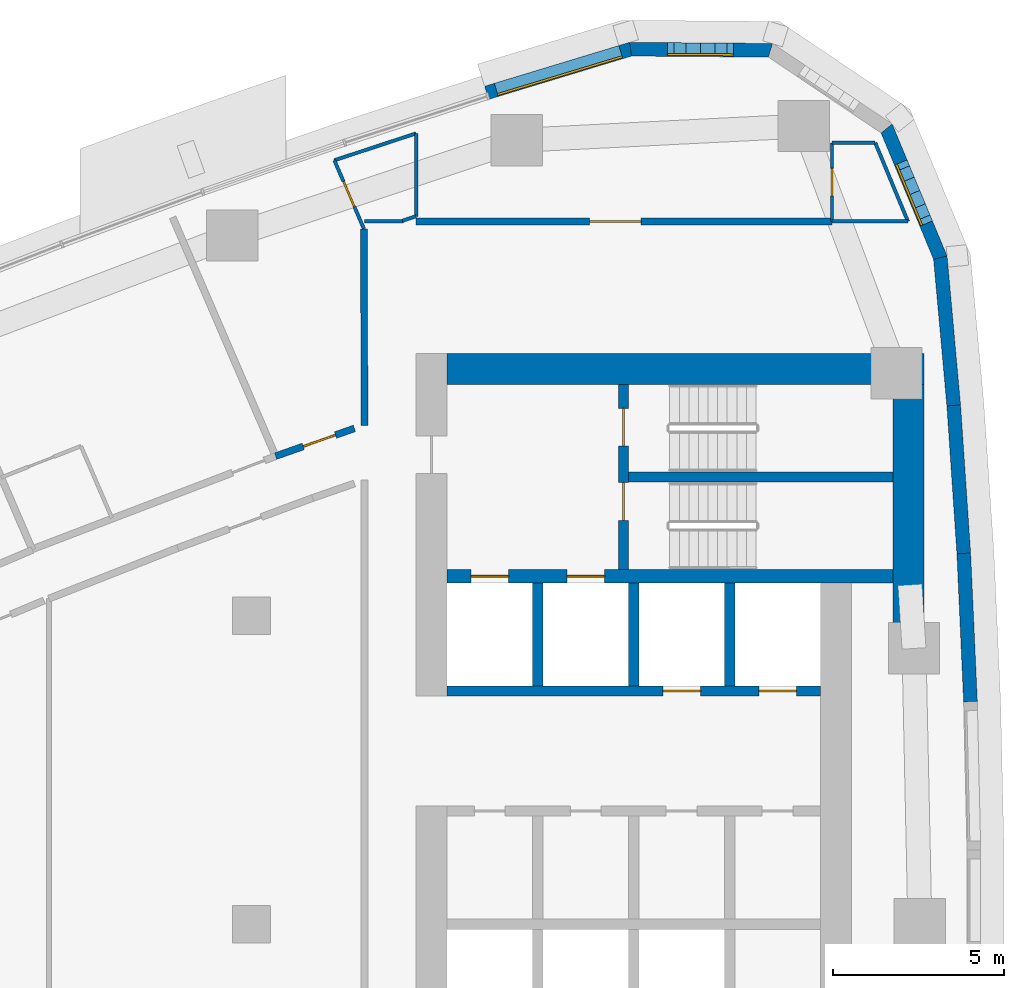
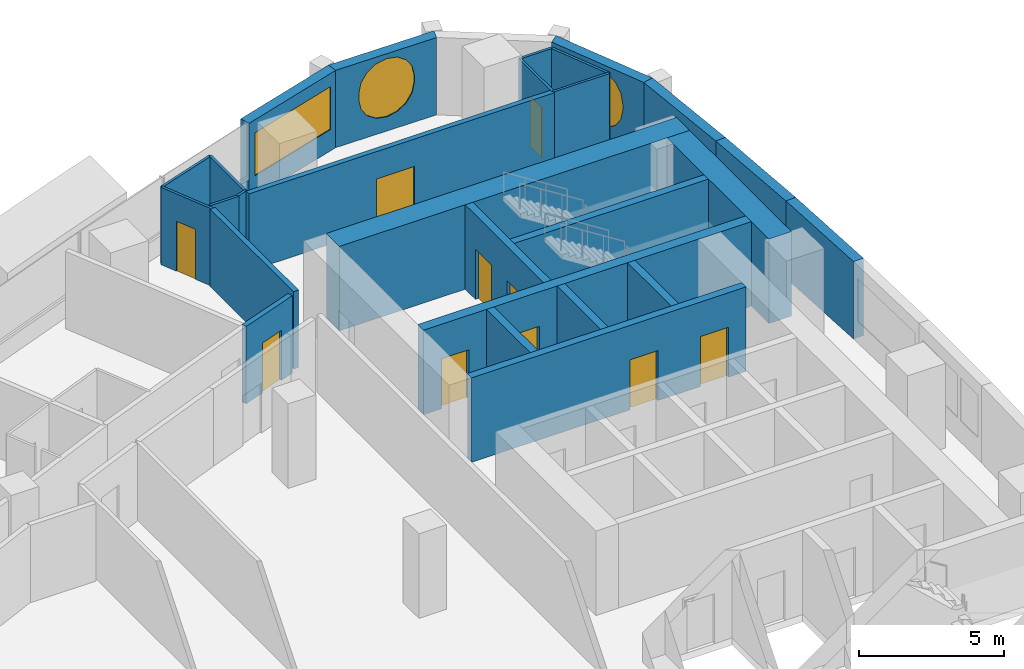
# One storey, part 12 of 17: 27 walls, 10 doors, 3 windows, 13 openings.
"""IFC4 building model written with IfcOpenShell, lengths in metres."""

from ifc_helpers import new_model, si_unit, direction, frame, frame_2d, origin, place, context, subcontext, project, spatial, polyline, rectangle, outline, extrude, material, layer, layer_set, type_object, element, fill, save


model = new_model("IFC4")

# Units and contexts
model_context = context("Model", 3, precision=1e-05, world=origin(), true_north=direction((0.0, 1.0)))
body_context = subcontext(model_context, "Body", "Model", "MODEL_VIEW")
ifc_project = project(units=[si_unit("LENGTHUNIT", "METRE"), si_unit("AREAUNIT", "SQUARE_METRE"), si_unit("VOLUMEUNIT", "CUBIC_METRE"), si_unit("PLANEANGLEUNIT", "RADIAN"), si_unit("MASSUNIT", "GRAM", prefix="KILO")], contexts=[model_context])

# Site, building, storey
site_placement = place(None, origin())
site = spatial("IfcSite", under=ifc_project, at=site_placement, CompositionType="ELEMENT")
building_placement = place(site_placement, origin())
building = spatial("IfcBuilding", under=site, at=building_placement, Name="Ostrand Prow Hotel Tower", CompositionType="ELEMENT")
storey_placement = place(building_placement, frame((0.0, 0.0, 158.60009765625)))
storey = spatial("IfcBuildingStorey", under=building, at=storey_placement, Name="L39", CompositionType="ELEMENT", Elevation=158.60009765625)

# Wall, openings, doors
ifc_material_1 = material(Name="Concrete C70/85", Category="concrete")
ifc_layer_1 = layer(ifc_material_1, 0.300048828125)
ifc_layer_set_1 = layer_set([ifc_layer_1], Name="Concrete C70/85")
wall_type_1 = type_object("IfcWallType", Name="Core wall 300 C70/85", PredefinedType="SHEAR", material=ifc_layer_set_1)
wall_1_placement = place(storey_placement, frame((50.699951171875, 6.800048828125, 0.0), z_axis=(0.0, 0.0, 1.0), x_axis=(1.0, 0.0, 0.0)))
wall_1 = element("IfcWall", 1, at=wall_1_placement, inside=storey, type_object=wall_type_1, Name="Core wall PW-L2-N", PredefinedType="SHEAR", context=body_context, shape_type="SweptSolid", body=[
    extrude(rectangle(XDim=10.900146484375, YDim=0.300048828125, at=frame_2d((5.4501953125, 0.0))), origin(), (0.0, 0.0, 1.0), 3.5498046875),
])
opening_1_placement = place(wall_1_placement, frame((6.300048828125, 0.0, 0.0)))
opening_1 = element("IfcOpeningElement", 2, at=opening_1_placement, cuts=wall_1, Name="Opening LD", PredefinedType="OPENING", context=body_context, shape_type="SweptSolid", body=[
    extrude(rectangle(XDim=1.10009765625, YDim=2.10009765625, at=frame_2d((0.550048828125, 1.050048828125))), frame((0.0, 0.159912109375, 0.0), z_axis=(0.0, -1.0, 0.0), x_axis=(1.0, 0.0, 0.0)), (0.0, 0.0, 1.0), 0.320068359375),
])
opening_2_placement = place(wall_1_placement, frame((9.10009765625, 0.0, 0.0)))
opening_2 = element("IfcOpeningElement", 3, at=opening_2_placement, cuts=wall_1, Name="Opening LD", PredefinedType="OPENING", context=body_context, shape_type="SweptSolid", body=[
    extrude(rectangle(XDim=1.10009765625, YDim=2.10009765625, at=frame_2d((0.550048828125, 1.050048828125))), frame((0.0, 0.159912109375, 0.0), z_axis=(0.0, -1.0, 0.0), x_axis=(1.0, 0.0, 0.0)), (0.0, 0.0, 1.0), 0.320068359375),
])
ifc_material_2 = material(Name="Stainless steel door", Category="steel")
door_type_1 = type_object("IfcDoorType", Name="Lift landing door 1100", OperationType="DOUBLE_DOOR_SLIDING", PredefinedType="DOOR", material=ifc_material_2)
door_1_placement = place(opening_1_placement, origin())
door_1 = element("IfcDoor", 4, at=door_1_placement, inside=storey, type_object=door_type_1, Name="LIFT LANDING DOOR", OperationType="DOUBLE_DOOR_SLIDING", OverallHeight=2.10009765625, OverallWidth=1.10009765625, PredefinedType="DOOR", context=body_context, shape_type="SweptSolid", body=[
    extrude(rectangle(XDim=1.10009765625, YDim=2.10009765625, at=frame_2d((0.550048828125, 1.050048828125))), frame((0.0, 0.02490234375, 0.0), z_axis=(0.0, -1.0, 0.0), x_axis=(1.0, 0.0, 0.0)), (0.0, 0.0, 1.0), 0.050048828125),
])
fill(opening_1, door_1)
door_2_placement = place(opening_2_placement, origin())
door_2 = element("IfcDoor", 5, at=door_2_placement, inside=storey, type_object=door_type_1, Name="LIFT LANDING DOOR", OperationType="DOUBLE_DOOR_SLIDING", OverallHeight=2.10009765625, OverallWidth=1.10009765625, PredefinedType="DOOR", context=body_context, shape_type="SweptSolid", body=[
    extrude(rectangle(XDim=1.10009765625, YDim=2.10009765625, at=frame_2d((0.550048828125, 1.050048828125))), frame((0.0, 0.02490234375, 0.0), z_axis=(0.0, -1.0, 0.0), x_axis=(1.0, 0.0, 0.0)), (0.0, 0.0, 1.0), 0.050048828125),
])
fill(opening_2, door_2)

# Walls
for number, where, z_axis, x_axis, name in (
    (6, (53.35009765625, 6.949951171875, 0.0), (0.0, 0.0, 1.0), (0.0, 1.0, 0.0), "Core wall PW-R1-NA"),
    (7, (56.14990234375, 6.949951171875, 0.0), (0.0, 0.0, 1.0), (0.0, 1.0, 0.0), "Core wall PW-R2-NA"),
    (8, (58.949951171875, 6.949951171875, 0.0), (0.0, 0.0, 1.0), (0.0, 1.0, 0.0), "Core wall PW-R3-NA"),
):
    element("IfcWall", number, at=place(storey_placement, frame(where, z_axis=z_axis, x_axis=x_axis)), inside=storey, type_object=wall_type_1, Name=name, PredefinedType="SHEAR", context=body_context, shape_type="SweptSolid", body=[
        extrude(rectangle(XDim=3.0, YDim=0.300048828125, at=frame_2d((1.5, 0.0))), origin(), (0.0, 0.0, 1.0), 3.5498046875),
    ])

# Wall, openings, doors
wall_2_placement = place(storey_placement, frame((55.85009765625, 10.35009765625, 0.0), z_axis=(0.0, 0.0, 1.0), x_axis=(0.0, 1.0, 0.0)))
wall_2 = element("IfcWall", 9, at=wall_2_placement, inside=storey, type_object=wall_type_1, Name="Core wall PW-VN", PredefinedType="SHEAR", context=body_context, shape_type="SweptSolid", body=[
    extrude(rectangle(XDim=5.39990234375, YDim=0.300048828125, at=frame_2d((2.699951171875, 0.0))), origin(), (0.0, 0.0, 1.0), 3.5498046875),
])
opening_3_placement = place(wall_2_placement, frame((1.429931640625, 0.0, 0.0)))
opening_3 = element("IfcOpeningElement", 10, at=opening_3_placement, cuts=wall_2, Name="Opening FD1", PredefinedType="OPENING", context=body_context, shape_type="SweptSolid", body=[
    extrude(rectangle(XDim=1.10009765625, YDim=2.10009765625, at=frame_2d((0.550048828125, 1.050048828125))), frame((0.0, 0.159912109375, 0.0), z_axis=(0.0, -1.0, 0.0), x_axis=(1.0, 0.0, 0.0)), (0.0, 0.0, 1.0), 0.320068359375),
])
opening_4_placement = place(wall_2_placement, frame((3.60009765625, 0.0, 0.0)))
opening_4 = element("IfcOpeningElement", 11, at=opening_4_placement, cuts=wall_2, Name="Opening FD1", PredefinedType="OPENING", context=body_context, shape_type="SweptSolid", body=[
    extrude(rectangle(XDim=1.10009765625, YDim=2.10009765625, at=frame_2d((0.550048828125, 1.050048828125))), frame((0.0, 0.159912109375, 0.0), z_axis=(0.0, -1.0, 0.0), x_axis=(1.0, 0.0, 0.0)), (0.0, 0.0, 1.0), 0.320068359375),
])
ifc_material_3 = material(Name="Steel fire door", Category="steel")
door_type_2 = type_object("IfcDoorType", Name="Fire door 1100 EI120", OperationType="SINGLE_SWING_RIGHT", PredefinedType="DOOR", material=ifc_material_3)
door_3_placement = place(opening_3_placement, origin())
door_3 = element("IfcDoor", 12, at=door_3_placement, inside=storey, type_object=door_type_2, Name="FIRE DOOR", OperationType="SINGLE_SWING_RIGHT", OverallHeight=2.10009765625, OverallWidth=1.10009765625, PredefinedType="DOOR", context=body_context, shape_type="SweptSolid", body=[
    extrude(rectangle(XDim=1.10009765625, YDim=2.10009765625, at=frame_2d((0.550048828125, 1.050048828125))), frame((0.0, 0.02490234375, 0.0), z_axis=(0.0, -1.0, 0.0), x_axis=(1.0, 0.0, 0.0)), (0.0, 0.0, 1.0), 0.050048828125),
])
fill(opening_3, door_3)
door_4_placement = place(opening_4_placement, origin())
door_4 = element("IfcDoor", 13, at=door_4_placement, inside=storey, type_object=door_type_2, Name="FIRE DOOR", OperationType="SINGLE_SWING_RIGHT", OverallHeight=2.10009765625, OverallWidth=1.10009765625, PredefinedType="DOOR", context=body_context, shape_type="SweptSolid", body=[
    extrude(rectangle(XDim=1.10009765625, YDim=2.10009765625, at=frame_2d((0.550048828125, 1.050048828125))), frame((0.0, 0.02490234375, 0.0), z_axis=(0.0, -1.0, 0.0), x_axis=(1.0, 0.0, 0.0)), (0.0, 0.0, 1.0), 0.050048828125),
])
fill(opening_4, door_4)

# Wall
wall_3_placement = place(storey_placement, frame((56.0, 13.050048828125, 0.0), z_axis=(0.0, 0.0, 1.0), x_axis=(1.0, 0.0, 0.0)))
element("IfcWall", 14, at=wall_3_placement, inside=storey, type_object=wall_type_1, Name="Core wall PW-ST13", PredefinedType="SHEAR", context=body_context, shape_type="SweptSolid", body=[
    extrude(rectangle(XDim=7.719970703125, YDim=0.300048828125, at=frame_2d((3.85986328125, 0.0))), origin(), (0.0, 0.0, 1.0), 3.5498046875),
])

# Wall, openings, doors
ifc_material_4 = material(Name="Concrete C70/85", Category="concrete")
ifc_layer_2 = layer(ifc_material_4, 0.39990234375)
ifc_layer_set_2 = layer_set([ifc_layer_2], Name="Concrete C70/85")
wall_type_2 = type_object("IfcWallType", Name="Core wall 400 C70/85", PredefinedType="SHEAR", material=ifc_layer_set_2)
wall_4_placement = place(storey_placement, frame((50.699951171875, 10.14990234375, 0.0), z_axis=(0.0, 0.0, 1.0), x_axis=(1.0, 0.0, 0.0)))
wall_4 = element("IfcWall", 15, at=wall_4_placement, inside=storey, type_object=wall_type_2, Name="Core wall PW-BN", PredefinedType="SHEAR", context=body_context, shape_type="SweptSolid", body=[
    extrude(rectangle(XDim=13.02001953125, YDim=0.39990234375, at=frame_2d((6.510009765625, 0.0))), origin(), (0.0, 0.0, 1.0), 3.5498046875),
])
opening_5_placement = place(wall_4_placement, frame((0.699951171875, 0.0, 0.0)))
opening_5 = element("IfcOpeningElement", 16, at=opening_5_placement, cuts=wall_4, Name="Opening LD", PredefinedType="OPENING", context=body_context, shape_type="SweptSolid", body=[
    extrude(rectangle(XDim=1.10009765625, YDim=2.10009765625, at=frame_2d((0.550048828125, 1.050048828125))), frame((0.0, 0.2099609375, 0.0), z_axis=(0.0, -1.0, 0.0), x_axis=(1.0, 0.0, 0.0)), (0.0, 0.0, 1.0), 0.419921875),
])
opening_6_placement = place(wall_4_placement, frame((3.5, 0.0, 0.0)))
opening_6 = element("IfcOpeningElement", 17, at=opening_6_placement, cuts=wall_4, Name="Opening LD", PredefinedType="OPENING", context=body_context, shape_type="SweptSolid", body=[
    extrude(rectangle(XDim=1.10009765625, YDim=2.10009765625, at=frame_2d((0.550048828125, 1.050048828125))), frame((0.0, 0.2099609375, 0.0), z_axis=(0.0, -1.0, 0.0), x_axis=(1.0, 0.0, 0.0)), (0.0, 0.0, 1.0), 0.419921875),
])
door_5_placement = place(opening_5_placement, origin())
door_5 = element("IfcDoor", 18, at=door_5_placement, inside=storey, type_object=door_type_1, Name="LIFT LANDING DOOR", OperationType="DOUBLE_DOOR_SLIDING", OverallHeight=2.10009765625, OverallWidth=1.10009765625, PredefinedType="DOOR", context=body_context, shape_type="SweptSolid", body=[
    extrude(rectangle(XDim=1.10009765625, YDim=2.10009765625, at=frame_2d((0.550048828125, 1.050048828125))), frame((0.0, 0.02490234375, 0.0), z_axis=(0.0, -1.0, 0.0), x_axis=(1.0, 0.0, 0.0)), (0.0, 0.0, 1.0), 0.050048828125),
])
fill(opening_5, door_5)
door_6_placement = place(opening_6_placement, origin())
door_6 = element("IfcDoor", 19, at=door_6_placement, inside=storey, type_object=door_type_1, Name="LIFT LANDING DOOR", OperationType="DOUBLE_DOOR_SLIDING", OverallHeight=2.10009765625, OverallWidth=1.10009765625, PredefinedType="DOOR", context=body_context, shape_type="SweptSolid", body=[
    extrude(rectangle(XDim=1.10009765625, YDim=2.10009765625, at=frame_2d((0.550048828125, 1.050048828125))), frame((0.0, 0.02490234375, 0.0), z_axis=(0.0, -1.0, 0.0), x_axis=(1.0, 0.0, 0.0)), (0.0, 0.0, 1.0), 0.050048828125),
])
fill(opening_6, door_6)

# Walls
ifc_material_5 = material(Name="Concrete C70/85", Category="concrete")
ifc_layer_3 = layer(ifc_material_5, 0.89990234375)
ifc_layer_set_3 = layer_set([ifc_layer_3], Name="Concrete C70/85")
wall_type_3 = type_object("IfcWallType", Name="Core wall 900 C70/85", PredefinedType="SHEAR", material=ifc_layer_set_3)
wall_5_placement = place(storey_placement, frame((50.699951171875, 16.199951171875, 0.0), z_axis=(0.0, 0.0, 1.0), x_axis=(1.0, 0.0, 0.0)))
element("IfcWall", 20, at=wall_5_placement, inside=storey, type_object=wall_type_3, Name="Core wall CW-N", PredefinedType="SHEAR", context=body_context, shape_type="SweptSolid", body=[
    extrude(rectangle(XDim=13.920166015625, YDim=0.89990234375, at=frame_2d((6.9599609375, 0.0))), origin(), (0.0, 0.0, 1.0), 3.5498046875),
])
wall_6_placement = place(storey_placement, frame((64.169921875, 8.74462890625, 0.0), z_axis=(0.0, 0.0, 1.0), x_axis=(0.0, 1.0, 0.0)))
element("IfcWall", 21, at=wall_6_placement, inside=storey, type_object=wall_type_3, Name="Core wall CW-E-N", PredefinedType="SHEAR", context=body_context, shape_type="SweptSolid", body=[
    extrude(rectangle(XDim=7.00537109375, YDim=0.89990234375, at=frame_2d((3.502685546875, 0.0))), origin(), (0.0, 0.0, 1.0), 3.5498046875),
])

# Wall, opening, door
ifc_material_6 = material(Name="Plasterboard partition")
ifc_layer_4 = layer(ifc_material_6, 0.10009765625)
ifc_layer_set_4 = layer_set([ifc_layer_4], Name="Plasterboard partition")
wall_type_4 = type_object("IfcWallType", Name="Partition 100 bathroom wall", PredefinedType="PARTITIONING", material=ifc_layer_set_4)
wall_7_placement = place(storey_placement, frame((61.9375, 20.5, 0.0), z_axis=(0.0, 0.0, 1.0), x_axis=(0.0, 1.0, 0.0)))
wall_7 = element("IfcWall", 22, at=wall_7_placement, inside=storey, type_object=wall_type_4, Name="BATHROOM WALL", PredefinedType="PARTITIONING", context=body_context, shape_type="SweptSolid", body=[
    extrude(rectangle(XDim=2.300048828125, YDim=0.10009765625, at=frame_2d((1.14990234375, 0.0))), origin(), (0.0, 0.0, 1.0), 3.25),
])
opening_7_placement = place(wall_7_placement, frame((0.75, 0.0, 0.0)))
opening_7 = element("IfcOpeningElement", 23, at=opening_7_placement, cuts=wall_7, Name="Opening D2", PredefinedType="OPENING", context=body_context, shape_type="SweptSolid", body=[
    extrude(rectangle(XDim=0.800048828125, YDim=2.10009765625, at=frame_2d((0.39990234375, 1.050048828125))), frame((0.0, 0.06005859375, 0.0), z_axis=(0.0, -1.0, 0.0), x_axis=(1.0, 0.0, 0.0)), (0.0, 0.0, 1.0), 0.1201171875),
])
ifc_material_7 = material(Name="Timber door leaf", Category="wood")
door_type_3 = type_object("IfcDoorType", Name="Bathroom door 800", OperationType="SINGLE_SWING_LEFT", PredefinedType="DOOR", material=ifc_material_7)
door_7_placement = place(opening_7_placement, origin())
door_7 = element("IfcDoor", 24, at=door_7_placement, inside=storey, type_object=door_type_3, Name="DOOR", OperationType="SINGLE_SWING_LEFT", OverallHeight=2.10009765625, OverallWidth=0.800048828125, PredefinedType="DOOR", context=body_context, shape_type="SweptSolid", body=[
    extrude(rectangle(XDim=0.800048828125, YDim=2.10009765625, at=frame_2d((0.39990234375, 1.050048828125))), frame((0.0, 0.02490234375, 0.0), z_axis=(0.0, -1.0, 0.0), x_axis=(1.0, 0.0, 0.0)), (0.0, 0.0, 1.0), 0.050048828125),
])
fill(opening_7, door_7)

# Wall
wall_8_placement = place(storey_placement, frame((61.9375, 22.800048828125, 0.0), z_axis=(0.0, 0.0, 1.0), x_axis=(1.0, 0.0, 0.0)))
element("IfcWall", 25, at=wall_8_placement, inside=storey, type_object=wall_type_4, Name="BATHROOM WALL", PredefinedType="PARTITIONING", context=body_context, shape_type="SweptSolid", body=[
    extrude(rectangle(XDim=1.2607421875, YDim=0.10009765625, at=frame_2d((0.63037109375, 0.0))), origin(), (0.0, 0.0, 1.0), 3.25),
])

# Wall, opening, door
wall_9_placement = place(storey_placement, frame((48.27880859375, 20.28857421875, 0.0), z_axis=(0.0, 0.0, 1.0), x_axis=(-0.396028123143, 0.918238381729, 0.0)))
wall_9 = element("IfcWall", 26, at=wall_9_placement, inside=storey, type_object=wall_type_4, Name="BATHROOM WALL", PredefinedType="PARTITIONING", context=body_context, shape_type="SweptSolid", body=[
    extrude(rectangle(XDim=2.1787109375, YDim=0.10009765625, at=frame_2d((1.08935546875, 0.0))), origin(), (0.0, 0.0, 1.0), 3.25),
])
opening_8_placement = place(wall_9_placement, frame((0.699951171875, 0.0, 0.0)))
opening_8 = element("IfcOpeningElement", 27, at=opening_8_placement, cuts=wall_9, Name="Opening D2", PredefinedType="OPENING", context=body_context, shape_type="SweptSolid", body=[
    extrude(rectangle(XDim=0.800048828125, YDim=2.10009765625, at=frame_2d((0.39990234375, 1.050048828125))), frame((0.0, 0.06005859375, 0.0), z_axis=(0.0, -1.0, 0.0), x_axis=(1.0, 0.0, 0.0)), (0.0, 0.0, 1.0), 0.1201171875),
])
door_8_placement = place(opening_8_placement, origin())
door_8 = element("IfcDoor", 28, at=door_8_placement, inside=storey, type_object=door_type_3, Name="DOOR", OperationType="SINGLE_SWING_LEFT", OverallHeight=2.10009765625, OverallWidth=0.800048828125, PredefinedType="DOOR", context=body_context, shape_type="SweptSolid", body=[
    extrude(rectangle(XDim=0.800048828125, YDim=2.10009765625, at=frame_2d((0.39990234375, 1.050048828125))), frame((0.0, 0.02490234375, 0.0), z_axis=(0.0, -1.0, 0.0), x_axis=(1.0, 0.0, 0.0)), (0.0, 0.0, 1.0), 0.050048828125),
])
fill(opening_8, door_8)

# Walls
wall_10_placement = place(storey_placement, frame((63.1982421875, 22.800048828125, 0.0), z_axis=(0.0, 0.0, 1.0), x_axis=(0.383855043906, -0.923393364319, 0.0)))
element("IfcWall", 29, at=wall_10_placement, inside=storey, type_object=wall_type_4, Name="BATHROOM WALL", PredefinedType="PARTITIONING", context=body_context, shape_type="SweptSolid", body=[
    extrude(rectangle(XDim=2.485595703125, YDim=0.10009765625, at=frame_2d((1.24267578125, 0.0))), origin(), (0.0, 0.0, 1.0), 3.25),
])
wall_11_placement = place(storey_placement, frame((64.15234375, 20.5048828125, 0.0), z_axis=(0.0, 0.0, 1.0), x_axis=(-1.0, 0.0, 0.0)))
element("IfcWall", 30, at=wall_11_placement, inside=storey, type_object=wall_type_4, Name="BATHROOM WALL", PredefinedType="PARTITIONING", context=body_context, shape_type="SweptSolid", body=[
    extrude(rectangle(XDim=2.21484375, YDim=0.10009765625, at=frame_2d((1.107421875, 0.0))), origin(), (0.0, 0.0, 1.0), 3.25),
])
wall_12_placement = place(storey_placement, frame((49.800048828125, 23.07421875, 0.0), z_axis=(0.0, 0.0, 1.0), x_axis=(0.0, -1.0, 0.0)))
element("IfcWall", 31, at=wall_12_placement, inside=storey, type_object=wall_type_4, Name="BATHROOM WALL", PredefinedType="PARTITIONING", context=body_context, shape_type="SweptSolid", body=[
    extrude(rectangle(XDim=2.41845703125, YDim=0.10009765625, at=frame_2d((1.209228515625, 0.0))), origin(), (0.0, 0.0, 1.0), 3.25),
])
wall_13_placement = place(storey_placement, frame((49.800048828125, 20.65576171875, 0.0), z_axis=(0.0, 0.0, 1.0), x_axis=(-0.950681805248, -0.310167866115, 0.0)))
element("IfcWall", 32, at=wall_13_placement, inside=storey, type_object=wall_type_4, Name="BATHROOM WALL", PredefinedType="PARTITIONING", context=body_context, shape_type="SweptSolid", body=[
    extrude(rectangle(XDim=0.423583984375, YDim=0.10009765625, at=frame_2d((0.2119140625, 0.0))), origin(), (0.0, 0.0, 1.0), 3.25),
])
wall_14_placement = place(storey_placement, frame((49.433837890625, 20.5048828125, 0.0), z_axis=(0.0, 0.0, 1.0), x_axis=(-1.0, 0.0, 0.0)))
element("IfcWall", 33, at=wall_14_placement, inside=storey, type_object=wall_type_4, Name="BATHROOM WALL", PredefinedType="PARTITIONING", context=body_context, shape_type="SweptSolid", body=[
    extrude(rectangle(XDim=1.13525390625, YDim=0.10009765625, at=frame_2d((0.567626953125, 0.0))), origin(), (0.0, 0.0, 1.0), 3.25),
])
wall_15_placement = place(storey_placement, frame((47.416015625, 22.289306640625, 0.0), z_axis=(0.0, 0.0, 1.0), x_axis=(0.949844078437, 0.312723882455, 0.0)))
element("IfcWall", 34, at=wall_15_placement, inside=storey, type_object=wall_type_4, Name="BATHROOM WALL", PredefinedType="PARTITIONING", context=body_context, shape_type="SweptSolid", body=[
    extrude(rectangle(XDim=2.510009765625, YDim=0.10009765625, at=frame_2d((1.2548828125, 0.0))), origin(), (0.0, 0.0, 1.0), 3.25),
])

# Wall, opening, door
ifc_material_8 = material(Name="Plasterboard partition")
ifc_layer_5 = layer(ifc_material_8, 0.199951171875)
ifc_layer_set_5 = layer_set([ifc_layer_5], Name="Plasterboard partition")
wall_type_5 = type_object("IfcWallType", Name="Partition 200 corridor wall", PredefinedType="PARTITIONING", material=ifc_layer_set_5)
wall_16_placement = place(storey_placement, frame((61.9326171875, 20.5048828125, 0.0), z_axis=(0.0, 0.0, 1.0), x_axis=(-1.0, 0.0, 0.0)))
wall_16 = element("IfcWall", 35, at=wall_16_placement, inside=storey, type_object=wall_type_5, Name="CORRIDOR WALL", PredefinedType="PARTITIONING", context=body_context, shape_type="SweptSolid", body=[
    extrude(rectangle(XDim=12.132568359375, YDim=0.199951171875, at=frame_2d((6.06640625, 0.0))), origin(), (0.0, 0.0, 1.0), 3.25),
])
opening_9_placement = place(wall_16_placement, frame((5.56640625, 0.0, 0.0)))
opening_9 = element("IfcOpeningElement", 36, at=opening_9_placement, cuts=wall_16, Name="Opening D15", PredefinedType="OPENING", context=body_context, shape_type="SweptSolid", body=[
    extrude(rectangle(XDim=1.5, YDim=2.10009765625, at=frame_2d((0.75, 1.050048828125))), frame((0.0, 0.10986328125, 0.0), z_axis=(0.0, -1.0, 0.0), x_axis=(1.0, 0.0, 0.0)), (0.0, 0.0, 1.0), 0.219970703125),
])
ifc_material_9 = material(Name="Timber door leaf", Category="wood")
door_type_4 = type_object("IfcDoorType", Name="Double door 1500", OperationType="DOUBLE_DOOR_SINGLE_SWING", PredefinedType="DOOR", material=ifc_material_9)
door_9_placement = place(opening_9_placement, origin())
door_9 = element("IfcDoor", 37, at=door_9_placement, inside=storey, type_object=door_type_4, Name="DOOR", OperationType="DOUBLE_DOOR_SINGLE_SWING", OverallHeight=2.10009765625, OverallWidth=1.5, PredefinedType="DOOR", context=body_context, shape_type="SweptSolid", body=[
    extrude(rectangle(XDim=1.5, YDim=2.10009765625, at=frame_2d((0.75, 1.050048828125))), frame((0.0, 0.02490234375, 0.0), z_axis=(0.0, -1.0, 0.0), x_axis=(1.0, 0.0, 0.0)), (0.0, 0.0, 1.0), 0.050048828125),
])
fill(opening_9, door_9)

wall_17_placement = place(storey_placement, frame((48.0, 14.465576171875, 0.0), z_axis=(0.0, 0.0, 1.0), x_axis=(-0.94307168041, -0.332589545248, 0.0)))
wall_17 = element("IfcWall", 38, at=wall_17_placement, inside=storey, type_object=wall_type_5, Name="CORRIDOR WALL", PredefinedType="PARTITIONING", context=body_context, shape_type="SweptSolid", body=[
    extrude(rectangle(XDim=2.43701171875, YDim=0.199951171875, at=frame_2d((1.218505859375, 0.0))), origin(), (0.0, 0.0, 1.0), 3.25),
])
opening_10_placement = place(wall_17_placement, frame((0.58203125, 0.0, 0.0)))
opening_10 = element("IfcOpeningElement", 39, at=opening_10_placement, cuts=wall_17, Name="Opening D1", PredefinedType="OPENING", context=body_context, shape_type="SweptSolid", body=[
    extrude(rectangle(XDim=1.0, YDim=2.10009765625, at=frame_2d((0.5, 1.050048828125))), frame((0.0, 0.10986328125, 0.0), z_axis=(0.0, -1.0, 0.0), x_axis=(1.0, 0.0, 0.0)), (0.0, 0.0, 1.0), 0.219970703125),
])
ifc_material_10 = material(Name="Timber door leaf", Category="wood")
door_type_5 = type_object("IfcDoorType", Name="Guest room door 1000", OperationType="SINGLE_SWING_LEFT", PredefinedType="DOOR", material=ifc_material_10)
door_10_placement = place(opening_10_placement, origin())
door_10 = element("IfcDoor", 40, at=door_10_placement, inside=storey, type_object=door_type_5, Name="DOOR", OperationType="SINGLE_SWING_LEFT", OverallHeight=2.10009765625, OverallWidth=1.0, PredefinedType="DOOR", context=body_context, shape_type="SweptSolid", body=[
    extrude(rectangle(XDim=1.0, YDim=2.10009765625, at=frame_2d((0.5, 1.050048828125))), frame((0.0, 0.02490234375, 0.0), z_axis=(0.0, -1.0, 0.0), x_axis=(1.0, 0.0, 0.0)), (0.0, 0.0, 1.0), 0.050048828125),
])
fill(opening_10, door_10)

# Walls
wall_18_placement = place(storey_placement, frame((48.27880859375, 20.28857421875, 0.0), z_axis=(0.0, 0.0, 1.0), x_axis=(0.002809695168, -0.999996052799, 0.0)))
element("IfcWall", 41, at=wall_18_placement, inside=storey, type_object=wall_type_5, Name="CORRIDOR WALL", PredefinedType="PARTITIONING", context=body_context, shape_type="SweptSolid", body=[
    extrude(rectangle(XDim=5.73486328125, YDim=0.199951171875, at=frame_2d((2.867431640625, 0.0))), origin(), (0.0, 0.0, 1.0), 3.25),
])
ifc_material_11 = material(Name="Precast concrete C40/50", Category="concrete")
ifc_layer_6 = layer(ifc_material_11, 0.39990234375)
ifc_layer_set_6 = layer_set([ifc_layer_6], Name="Precast concrete C40/50")
wall_type_6 = type_object("IfcWallType", Name="Stone-faced precast wall 400 mm", PredefinedType="NOTDEFINED", material=ifc_layer_set_6)
for number, where, z_axis, x_axis, name in (
    (42, (65.977783203125, 6.4921875, 0.0), (0.0, 0.0, 1.0), (-0.045228592312, 0.99897666361, 0.0), "Stone-faced wall back 11"),
    (43, (65.781982421875, 10.81689453125, 0.0), (0.0, 0.0, 1.0), (-0.067731727279, 0.997703569764, 0.0), "Stone-faced wall back 12"),
):
    element("IfcWall", number, at=place(storey_placement, frame(where, z_axis=z_axis, x_axis=x_axis)), inside=storey, type_object=wall_type_6, Name=name, PredefinedType="NOTDEFINED", context=body_context, shape_type="SweptSolid", body=[
        extrude(outline(polyline([(-0.002197265625, -0.199951171875), (4.331298828125, -0.199951171875), (4.326904296875, 0.199951171875), (0.002197265625, 0.199951171875), (-0.002197265625, -0.199951171875)])), origin(), (0.0, 0.0, 1.0), 3.25),
    ])
wall_19_placement = place(storey_placement, frame((65.48876953125, 15.135986328125, 0.0), z_axis=(0.0, 0.0, 1.0), x_axis=(-0.090296735989, 0.995914905737, 0.0)))
element("IfcWall", 44, at=wall_19_placement, inside=storey, type_object=wall_type_6, Name="Stone-faced wall back 13", PredefinedType="NOTDEFINED", context=body_context, shape_type="SweptSolid", body=[
    extrude(outline(polyline([(-0.002197265625, -0.199951171875), (4.359130859375, -0.199951171875), (4.298095703125, 0.199951171875), (0.002197265625, 0.199951171875), (-0.002197265625, -0.199951171875)])), origin(), (0.0, 0.0, 1.0), 3.25),
])

# Wall, opening, window
wall_20_placement = place(storey_placement, frame((65.097900390625, 19.447021484375, 0.0), z_axis=(0.0, 0.0, 1.0), x_axis=(-0.383817293519, 0.923409056267, 0.0)))
wall_20 = element("IfcWall", 45, at=wall_20_placement, inside=storey, type_object=wall_type_6, Name="Stone-faced wall back 14", PredefinedType="NOTDEFINED", context=body_context, shape_type="SweptSolid", body=[
    extrude(outline(polyline([(-0.030517578125, -0.199951171875), (4.14453125, -0.199951171875), (4.02392578125, 0.199951171875), (0.030517578125, 0.199951171875), (-0.030517578125, -0.199951171875)])), origin(), (0.0, 0.0, 1.0), 3.25),
])
opening_11_placement = place(wall_20_placement, frame((0.94189453125, 0.0, 0.60009765625)))
opening_11 = element("IfcOpeningElement", 46, at=opening_11_placement, cuts=wall_20, Name="Opening WP1", PredefinedType="OPENING", context=body_context, shape_type="SweptSolid", body=[
    extrude(outline(polyline([(0.0, 1.35009765625), (0.083740234375, 1.77099609375), (0.322265625, 2.127685546875), (0.678955078125, 2.3662109375), (1.10009765625, 2.449951171875), (1.52099609375, 2.3662109375), (1.877685546875, 2.127685546875), (2.1162109375, 1.77099609375), (2.199951171875, 1.35009765625), (2.199951171875, 1.10009765625), (2.1162109375, 0.678955078125), (1.877685546875, 0.322265625), (1.52099609375, 0.083740234375), (1.10009765625, 0.0), (0.678955078125, 0.083740234375), (0.322265625, 0.322265625), (0.083740234375, 0.678955078125), (0.0, 1.099853515625), (0.0, 1.35009765625)])), frame((0.0, 0.2099609375, 0.0), z_axis=(0.0, -1.0, 0.0), x_axis=(1.0, 0.0, 0.0)), (0.0, 0.0, 1.0), 0.419921875),
])
ifc_material_12 = material(Name="Insulated glass in bronze frame", Category="glass")
window_type_1 = type_object("IfcWindowType", Name="Round-ended prow window 2200x2450", PartitioningType="SINGLE_PANEL", PredefinedType="WINDOW", material=ifc_material_12)
window_1_placement = place(opening_11_placement, origin())
window_1 = element("IfcWindow", 47, at=window_1_placement, inside=storey, type_object=window_type_1, Name="Window back 14.1", OverallHeight=2.449951171875, OverallWidth=2.199951171875, PartitioningType="SINGLE_PANEL", PredefinedType="WINDOW", context=body_context, shape_type="SweptSolid", body=[
    extrude(outline(polyline([(0.0, 1.35009765625), (0.083740234375, 1.77099609375), (0.322265625, 2.127685546875), (0.678955078125, 2.3662109375), (1.10009765625, 2.449951171875), (1.52099609375, 2.3662109375), (1.877685546875, 2.127685546875), (2.1162109375, 1.77099609375), (2.199951171875, 1.35009765625), (2.199951171875, 1.10009765625), (2.1162109375, 0.678955078125), (1.877685546875, 0.322265625), (1.52099609375, 0.083740234375), (1.10009765625, 0.0), (0.678955078125, 0.083740234375), (0.322265625, 0.322265625), (0.083740234375, 0.678955078125), (0.0, 1.099853515625), (0.0, 1.35009765625)])), frame((0.0, 0.169921875, 0.0), z_axis=(0.0, -1.0, 0.0), x_axis=(1.0, 0.0, 0.0)), (0.0, 0.0, 1.0), 0.06005859375),
])
fill(opening_11, window_1)

wall_21_placement = place(storey_placement, frame((60.14208984375, 25.49853515625, 0.0), z_axis=(0.0, 0.0, 1.0), x_axis=(-0.99996933771, 0.007830941131, 0.0)))
wall_21 = element("IfcWall", 48, at=wall_21_placement, inside=storey, type_object=wall_type_6, Name="Stone-faced wall back 16", PredefinedType="NOTDEFINED", context=body_context, shape_type="SweptSolid", body=[
    extrude(outline(polyline([(-0.060302734375, -0.199951171875), (4.11474609375, -0.199951171875), (4.0537109375, 0.199951171875), (0.060302734375, 0.199951171875), (-0.060302734375, -0.199951171875)])), origin(), (0.0, 0.0, 1.0), 3.25),
])
opening_12_placement = place(wall_21_placement, frame((0.94189453125, 0.0, 0.60009765625)))
opening_12 = element("IfcOpeningElement", 49, at=opening_12_placement, cuts=wall_21, Name="Opening WP1", PredefinedType="OPENING", context=body_context, shape_type="SweptSolid", body=[
    extrude(outline(polyline([(0.0, 1.35009765625), (0.083740234375, 1.77099609375), (0.322265625, 2.127685546875), (0.678955078125, 2.3662109375), (1.10009765625, 2.449951171875), (1.52099609375, 2.3662109375), (1.877685546875, 2.127685546875), (2.1162109375, 1.77099609375), (2.199951171875, 1.35009765625), (2.199951171875, 1.10009765625), (2.1162109375, 0.678955078125), (1.877685546875, 0.322265625), (1.52099609375, 0.083740234375), (1.10009765625, 0.0), (0.678955078125, 0.083740234375), (0.322265625, 0.322265625), (0.083740234375, 0.678955078125), (0.0, 1.099853515625), (0.0, 1.35009765625)])), frame((0.0, 0.2099609375, 0.0), z_axis=(0.0, -1.0, 0.0), x_axis=(1.0, 0.0, 0.0)), (0.0, 0.0, 1.0), 0.419921875),
])
window_2_placement = place(opening_12_placement, origin())
window_2 = element("IfcWindow", 50, at=window_2_placement, inside=storey, type_object=window_type_1, Name="Window back 16.1", OverallHeight=2.449951171875, OverallWidth=2.199951171875, PartitioningType="SINGLE_PANEL", PredefinedType="WINDOW", context=body_context, shape_type="SweptSolid", body=[
    extrude(outline(polyline([(0.0, 1.35009765625), (0.083740234375, 1.77099609375), (0.322265625, 2.127685546875), (0.678955078125, 2.3662109375), (1.10009765625, 2.449951171875), (1.52099609375, 2.3662109375), (1.877685546875, 2.127685546875), (2.1162109375, 1.77099609375), (2.199951171875, 1.35009765625), (2.199951171875, 1.10009765625), (2.1162109375, 0.678955078125), (1.877685546875, 0.322265625), (1.52099609375, 0.083740234375), (1.10009765625, 0.0), (0.678955078125, 0.083740234375), (0.322265625, 0.322265625), (0.083740234375, 0.678955078125), (0.0, 1.099853515625), (0.0, 1.35009765625)])), frame((0.0, 0.169921875, 0.0), z_axis=(0.0, -1.0, 0.0), x_axis=(1.0, 0.0, 0.0)), (0.0, 0.0, 1.0), 0.06005859375),
])
fill(opening_12, window_2)

wall_22_placement = place(storey_placement, frame((56.05810546875, 25.530517578125, 0.0), z_axis=(0.0, 0.0, 1.0), x_axis=(-0.956964488344, -0.290205044837, 0.0)))
wall_22 = element("IfcWall", 51, at=wall_22_placement, inside=storey, type_object=wall_type_6, Name="Stone-faced wall back 17", PredefinedType="NOTDEFINED", context=body_context, shape_type="SweptSolid", body=[
    extrude(outline(polyline([(-0.030517578125, -0.199951171875), (4.387939453125, -0.199951171875), (4.387939453125, 0.199951171875), (0.030517578125, 0.199951171875), (-0.030517578125, -0.199951171875)])), origin(), (0.0, 0.0, 1.0), 3.25),
])
opening_13_placement = place(wall_22_placement, frame((0.2939453125, 0.0, 0.89990234375)))
opening_13 = element("IfcOpeningElement", 52, at=opening_13_placement, cuts=wall_22, Name="Opening WS3-38", PredefinedType="OPENING", context=body_context, shape_type="SweptSolid", body=[
    extrude(rectangle(XDim=3.800048828125, YDim=1.800048828125, at=frame_2d((1.89990234375, 0.89990234375))), frame((0.0, 0.2099609375, 0.0), z_axis=(0.0, -1.0, 0.0), x_axis=(1.0, 0.0, 0.0)), (0.0, 0.0, 1.0), 0.419921875),
])
ifc_material_13 = material(Name="Insulated glass in bronze frame", Category="glass")
window_type_2 = type_object("IfcWindowType", Name="Strip window 3800x1800", PartitioningType="SINGLE_PANEL", PredefinedType="WINDOW", material=ifc_material_13)
window_3_placement = place(opening_13_placement, origin())
window_3 = element("IfcWindow", 53, at=window_3_placement, inside=storey, type_object=window_type_2, Name="Window back 17.1", OverallHeight=1.800048828125, OverallWidth=3.800048828125, PartitioningType="SINGLE_PANEL", PredefinedType="WINDOW", context=body_context, shape_type="SweptSolid", body=[
    extrude(rectangle(XDim=3.800048828125, YDim=1.800048828125, at=frame_2d((1.89990234375, 0.89990234375))), frame((0.0, 0.169921875, 0.0), z_axis=(0.0, -1.0, 0.0), x_axis=(1.0, 0.0, 0.0)), (0.0, 0.0, 1.0), 0.06005859375),
])
fill(opening_13, window_3)

save(model, "model.ifc")
